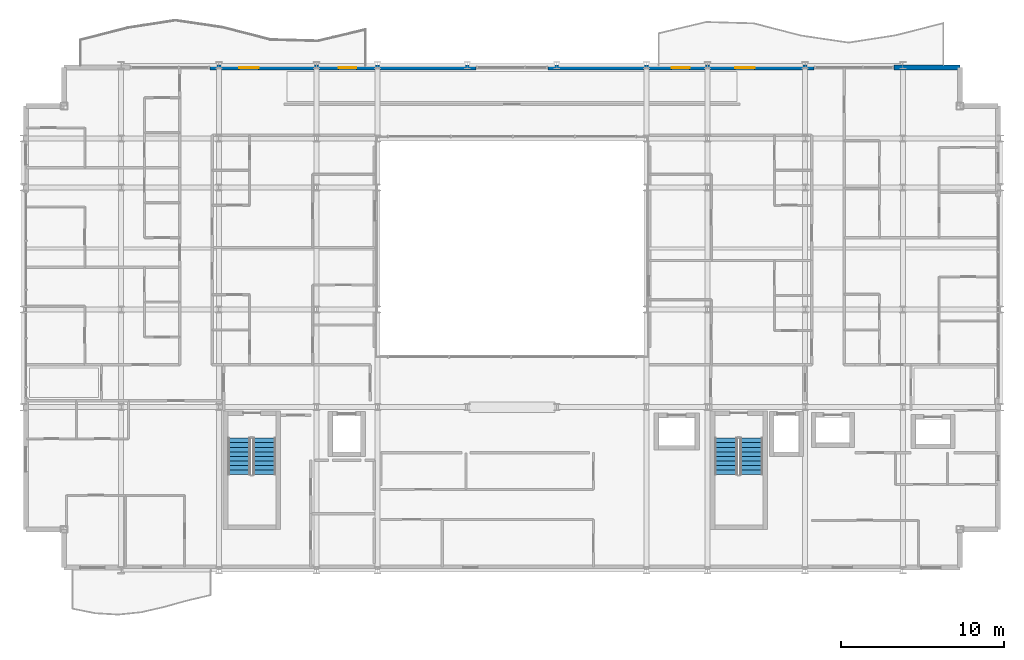
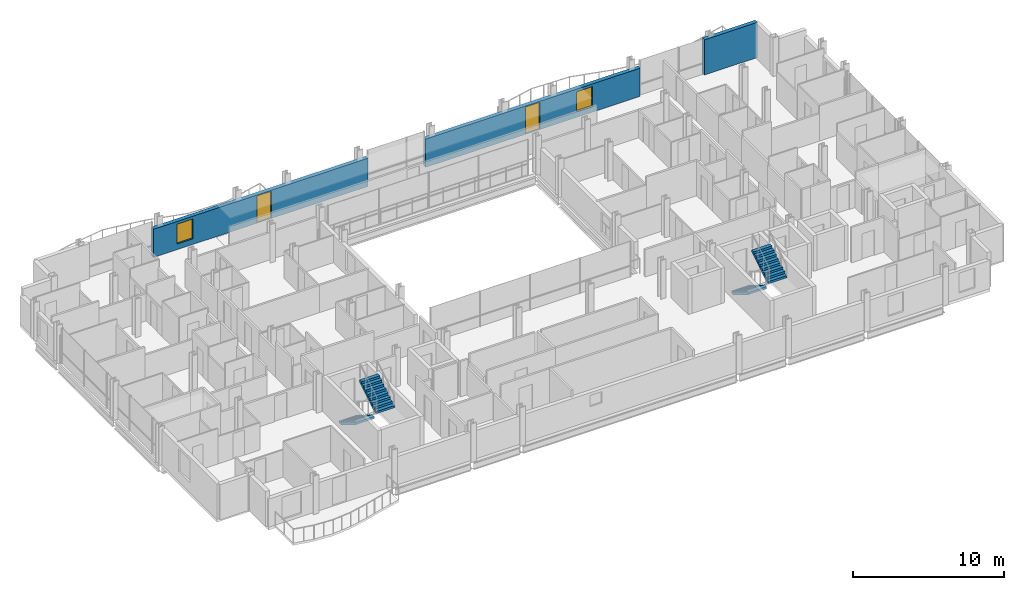
# One storey, part 37 of 41: 4 stair flights, 3 walls, 2 doors, 2 windows, 4 openings, 2 elements without a shape of their own.
"""IFC4 building model written with IfcOpenShell, lengths in metres."""

import ifcopenshell
import ifcopenshell.guid

model = None  # the IFC model being written
_history = None  # IfcOwnerHistory: only IFC2X3 demands one
_inside = {}  # id of a spatial element -> (the spatial element, [elements in it])
_under = {}  # id of a project, library or spatial element -> (it, [spatial elements below it])
_declared = {}  # id of a project -> (the project, [libraries it declares])
_typed = {}  # id of a type object -> (the type object, [elements of that type])
_made_of = {}  # id of a material, layer set ... -> (it, [elements and type objects made of it])


def new_model(schema):
    """Start an empty IFC model of exactly this schema.

    Asked for "IFC4X3", IfcOpenShell would pick the latest addendum, in which some entities
    have other attributes; the version numbers below select the first issue.
    IFC2X3 requires an IfcOwnerHistory on every rooted entity: one is made here for all.
    """
    global model, _history
    if schema == "IFC4X3":
        model = ifcopenshell.file(schema_version=(4, 3, 0, 0))
    else:
        model = ifcopenshell.file(schema=schema)
    _inside.clear()
    _under.clear()
    _declared.clear()
    _typed.clear()
    _made_of.clear()
    _history = None
    if model.schema == "IFC2X3":
        org = make("IfcOrganization", Name="unknown")
        user = make(
            "IfcPersonAndOrganization",
            ThePerson=make("IfcPerson", FamilyName="unknown"),
            TheOrganization=org,
        )
        app = make(
            "IfcApplication",
            ApplicationDeveloper=org,
            Version="unknown",
            ApplicationFullName="unknown",
            ApplicationIdentifier="unknown",
        )
        _history = make(
            "IfcOwnerHistory",
            OwningUser=user,
            OwningApplication=app,
            ChangeAction="ADDED",
            CreationDate=0,
        )
    return model


def make(cls, **values):
    """One entity of the class cls with the attributes given. An attribute that is None is left unset."""
    return model.create_entity(
        cls, **{name: value for name, value in values.items() if value is not None}
    )


def rooted(cls, **values):
    """An entity with a GlobalId (a new one), such as an element, a storey or a relation."""
    return make(cls, GlobalId=ifcopenshell.guid.new(), OwnerHistory=_history, **values)


def si_unit(unit_type, name, prefix=None):
    """IfcSIUnit, for example si_unit("LENGTHUNIT", "METRE", prefix="MILLI")."""
    return make("IfcSIUnit", UnitType=unit_type, Prefix=prefix, Name=name)


def assignment(units):
    """IfcUnitAssignment: the units of a project."""
    return None if units is None else make("IfcUnitAssignment", Units=units)


def point(xyz):
    """IfcCartesianPoint."""
    return None if xyz is None else make("IfcCartesianPoint", Coordinates=xyz)


def direction(xyz):
    """IfcDirection."""
    return None if xyz is None else make("IfcDirection", DirectionRatios=xyz)


def frame(location, z_axis=None, x_axis=None):
    """IfcAxis2Placement3D, a coordinate frame: its origin and axes. An axis left out is left unset."""
    return make(
        "IfcAxis2Placement3D",
        Location=point(location),
        Axis=direction(z_axis),
        RefDirection=direction(x_axis),
    )


def frame_2d(location, x_axis=None):
    """IfcAxis2Placement2D, a coordinate frame in the plane: its origin and x axis."""
    return make(
        "IfcAxis2Placement2D", Location=point(location), RefDirection=direction(x_axis)
    )


def origin():
    """The frame at (0, 0, 0) with its axes left unset."""
    return frame((0.0, 0.0, 0.0))


def place(relative_to, where):
    """IfcLocalPlacement: puts the frame where relative to a parent placement (None: the world)."""
    return make(
        "IfcLocalPlacement", PlacementRelTo=relative_to, RelativePlacement=where
    )


def context(
    kind, dimensions, precision=None, world=None, true_north=None, identifier=None
):
    """IfcGeometricRepresentationContext, for example the 3D "Model" context."""
    return make(
        "IfcGeometricRepresentationContext",
        ContextIdentifier=identifier,
        ContextType=kind,
        CoordinateSpaceDimension=dimensions,
        Precision=precision,
        WorldCoordinateSystem=world,
        TrueNorth=true_north,
    )


def subcontext(parent, identifier, kind, view, scale=None):
    """IfcGeometricRepresentationSubContext, for example "Body" below "Model"."""
    return make(
        "IfcGeometricRepresentationSubContext",
        ContextIdentifier=identifier,
        ContextType=kind,
        ParentContext=parent,
        TargetScale=scale,
        TargetView=view,
    )


def project(units=None, contexts=None):
    """IfcProject with its units and contexts."""
    return rooted(
        "IfcProject",
        Name="project",
        RepresentationContexts=contexts,
        UnitsInContext=assignment(units),
    )


def spatial(cls, under=None, at=None, **own):
    """A site, building, storey or space (cls), placed at a placement, below another one or the project."""
    s = rooted(cls, ObjectPlacement=at, **own)
    if under is not None:
        _under.setdefault(under.id(), (under, []))[1].append(s)
    return s


def polyline(points):
    """IfcPolyline through the points."""
    return make("IfcPolyline", Points=[point(p) for p in points])


def profile(cls, at=None, kind="AREA", **sizes):
    """A parametric profile (cls). Its sizes go by their IFC names, for example OverallWidth=200.0."""
    return make(cls, ProfileType=kind, Position=at, **sizes)


def rectangle(**sizes):
    """IfcRectangleProfileDef."""
    return profile("IfcRectangleProfileDef", **sizes)


def outline(outer, holes=None, kind="AREA"):
    """IfcArbitraryClosedProfileDef: a profile drawn as a closed curve; with holes, ...WithVoids."""
    if holes is None:
        return make("IfcArbitraryClosedProfileDef", ProfileType=kind, OuterCurve=outer)
    return make(
        "IfcArbitraryProfileDefWithVoids",
        ProfileType=kind,
        OuterCurve=outer,
        InnerCurves=holes,
    )


def extrude(swept, where, along, depth):
    """IfcExtrudedAreaSolid: the profile swept, set in the frame where, extruded along a direction by depth."""
    return make(
        "IfcExtrudedAreaSolid",
        SweptArea=swept,
        Position=where,
        ExtrudedDirection=direction(along),
        Depth=depth,
    )


def shape(context_of_items, identifier, shape_type, items):
    """IfcShapeRepresentation: the items that make up one representation, for example the "Body"."""
    return make(
        "IfcShapeRepresentation",
        ContextOfItems=context_of_items,
        RepresentationIdentifier=identifier,
        RepresentationType=shape_type,
        Items=items,
    )


def material(Name=None, Category=None):
    """IfcMaterial."""
    return make("IfcMaterial", Name=Name, Category=Category)


def layer(
    of_material, thickness, ventilated=None, Name=None, Category=None, Priority=None
):
    """IfcMaterialLayer: one layer of a wall or slab, of a material (None: an air gap)."""
    return make(
        "IfcMaterialLayer",
        Material=of_material,
        LayerThickness=thickness,
        IsVentilated=ventilated,
        Name=Name,
        Category=Category,
        Priority=Priority,
    )


def layer_set(layers, Name=None):
    """IfcMaterialLayerSet."""
    return make("IfcMaterialLayerSet", MaterialLayers=layers, LayerSetName=Name)


def made_of(thing, what):
    """Note that an element or type object is made of a material, layer set ...; save() writes the relation."""
    if what is not None:
        _made_of.setdefault(what.id(), (what, []))[1].append(thing)
    return thing


def type_object(cls, material=None, **own):
    """A type object (cls), such as IfcWallType, which elements share."""
    return made_of(rooted(cls, **own), material)


def element(
    cls,
    number,
    at=None,
    inside=None,
    cuts=None,
    type_object=None,
    material=None,
    context=None,
    identifier="Body",
    shape_type=None,
    held_by="IfcProductDefinitionShape",
    body=None,
    shapes=None,
    **own,
):
    """One element of the class cls, such as IfcWall. Its Tag is "e" and its number.

    at: its placement. inside: the storey or other place that contains it. cuts: it is an
    opening in that element (IfcRelVoidsElement). A single representation is given by context,
    identifier, shape_type and body (its items); several are given by shapes. held_by: the class
    of the entity that holds the representations. save() writes the other relations.
    """
    e = rooted(cls, Tag="e%d" % number, ObjectPlacement=at, **own)
    if body is not None:
        shapes = [shape(context, identifier, shape_type, body)]
    if shapes is not None:
        e.Representation = make(held_by, Representations=shapes)
    if inside is not None:
        _inside.setdefault(inside.id(), (inside, []))[1].append(e)
    if cuts is not None:
        rooted(
            "IfcRelVoidsElement", RelatingBuildingElement=cuts, RelatedOpeningElement=e
        )
    if type_object is not None:
        _typed.setdefault(type_object.id(), (type_object, []))[1].append(e)
    return made_of(e, material)


def fill(opening, filler):
    """IfcRelFillsElement: the door or window that sits in an opening."""
    return rooted(
        "IfcRelFillsElement",
        RelatingOpeningElement=opening,
        RelatedBuildingElement=filler,
    )


def aggregate(whole, parts):
    """IfcRelAggregates: a whole, such as a stair, and the parts it consists of."""
    return rooted("IfcRelAggregates", RelatingObject=whole, RelatedObjects=parts)


def save(model, path):
    """Write the relations noted so far, then the file.

    IfcRelAggregates (storeys below a building ...), IfcRelContainedInSpatialStructure (elements
    in a storey), IfcRelDefinesByType, IfcRelAssociatesMaterial and IfcRelDeclares: one each for
    every whole, place, type object, material and project.
    """
    for whole, parts in _under.values():
        aggregate(whole, parts)
    for where, things in _inside.values():
        rooted(
            "IfcRelContainedInSpatialStructure",
            RelatedElements=things,
            RelatingStructure=where,
        )
    for kind, things in _typed.values():
        rooted("IfcRelDefinesByType", RelatedObjects=things, RelatingType=kind)
    for what, things in _made_of.values():
        rooted("IfcRelAssociatesMaterial", RelatedObjects=things, RelatingMaterial=what)
    for by, libraries in _declared.values():
        rooted("IfcRelDeclares", RelatingContext=by, RelatedDefinitions=libraries)
    model.write(path)


model = new_model("IFC4")

# Units and contexts
model_context = context("Model", 3, precision=1e-05, world=origin(), true_north=direction((0.0, 1.0)))
body_context = subcontext(model_context, "Body", "Model", "MODEL_VIEW")
ifc_project = project(units=[si_unit("LENGTHUNIT", "METRE"), si_unit("AREAUNIT", "SQUARE_METRE"), si_unit("VOLUMEUNIT", "CUBIC_METRE"), si_unit("PLANEANGLEUNIT", "RADIAN"), si_unit("MASSUNIT", "GRAM", prefix="KILO")], contexts=[model_context])

# Site, building, storey
site_placement = place(None, origin())
site = spatial("IfcSite", under=ifc_project, at=site_placement, CompositionType="ELEMENT")
building_placement = place(site_placement, origin())
building = spatial("IfcBuilding", under=site, at=building_placement, Name="Brevholm Reach", CompositionType="ELEMENT")
storey_placement = place(building_placement, frame((0.0, 0.0, 93.10009765625)))
storey = spatial("IfcBuildingStorey", under=building, at=storey_placement, Name="L27", CompositionType="ELEMENT", Elevation=93.10009765625)

# Wall
ifc_material_1 = material(Name="Concrete C40/50", Category="concrete")
ifc_layer_1 = layer(ifc_material_1, 0.300048828125)
ifc_layer_set_1 = layer_set([ifc_layer_1], Name="Concrete C40/50")
wall_type = type_object("IfcWallType", Name="WAL-EXT-300", PredefinedType="STANDARD", material=ifc_layer_set_1)
wall_1_placement = place(storey_placement, frame((53.449951171875, 30.85009765625, 0.0), z_axis=(0.0, 0.0, 1.0), x_axis=(1.0, 0.0, 0.0)))
element("IfcWall", 1, at=wall_1_placement, inside=storey, type_object=wall_type, Name="L27 Facade Wall WAL-L27-NP-E0", PredefinedType="STANDARD", context=body_context, shape_type="SweptSolid", body=[
    extrude(rectangle(XDim=4.050048828125, YDim=0.300048828125, at=frame_2d((2.02490234375, 0.0))), origin(), (0.0, 0.0, 1.0), 2.83984375),
])

# Wall, openings, door, window
wall_2_placement = place(storey_placement, frame((11.449951171875, 30.85009765625, 0.0), z_axis=(0.0, 0.0, 1.0), x_axis=(1.0, 0.0, 0.0)))
wall_2 = element("IfcWall", 2, at=wall_2_placement, inside=storey, type_object=wall_type, Name="L27 Facade Wall WAL-L27-NP-WL", PredefinedType="STANDARD", context=body_context, shape_type="SweptSolid", body=[
    extrude(rectangle(XDim=16.35009765625, YDim=0.300048828125, at=frame_2d((8.175048828125, 0.0))), origin(), (0.0, 0.0, 1.0), 2.275390625),
])
opening_1_placement = place(wall_2_placement, frame((7.89794921875, 0.0, 0.0)))
opening_1 = element("IfcOpeningElement", 3, at=opening_1_placement, cuts=wall_2, Name="Opening BD-01", PredefinedType="OPENING", context=body_context, shape_type="SweptSolid", body=[
    extrude(rectangle(XDim=1.10009765625, YDim=2.199951171875, at=frame_2d((0.550048828125, 1.10009765625))), frame((0.0, 0.159912109375, 0.0), z_axis=(0.0, -1.0, 0.0), x_axis=(1.0, 0.0, 0.0)), (0.0, 0.0, 1.0), 0.320068359375),
])
opening_2_placement = place(wall_2_placement, frame((1.800048828125, 0.0, 0.4560546875)))
opening_2 = element("IfcOpeningElement", 4, at=opening_2_placement, cuts=wall_2, Name="Opening WN-08", PredefinedType="OPENING", context=body_context, shape_type="SweptSolid", body=[
    extrude(rectangle(XDim=1.199951171875, YDim=1.60009765625, at=frame_2d((0.60009765625, 0.800048828125))), frame((0.0, 0.159912109375, 0.0), z_axis=(0.0, -1.0, 0.0), x_axis=(1.0, 0.0, 0.0)), (0.0, 0.0, 1.0), 0.320068359375),
])
ifc_material_2 = material(Name="Dark Anodised Aluminium and Triple-Glazed Glass", Category="aluminium")
door_type = type_object("IfcDoorType", Name="DOR-BALC-1100", OperationType="NOTDEFINED", PredefinedType="DOOR", material=ifc_material_2)
door_1_placement = place(opening_1_placement, origin())
door_1 = element("IfcDoor", 5, at=door_1_placement, inside=storey, type_object=door_type, Name="L27 Exterior Door DOR-L27-BL-NW", OperationType="SINGLE_SWING_LEFT", OverallHeight=2.199951171875, OverallWidth=1.10009765625, PredefinedType="DOOR", context=body_context, shape_type="SweptSolid", body=[
    extrude(rectangle(XDim=1.10009765625, YDim=2.199951171875, at=frame_2d((0.550048828125, 1.10009765625))), frame((0.0, 0.02490234375, 0.0), z_axis=(0.0, -1.0, 0.0), x_axis=(1.0, 0.0, 0.0)), (0.0, 0.0, 1.0), 0.050048828125),
])
fill(opening_1, door_1)
ifc_material_3 = material(Name="Dark Anodised Aluminium and Solar-Control IGU Glass", Category="aluminium")
window_type = type_object("IfcWindowType", Name="WIN-RES-1200", PartitioningType="SINGLE_PANEL", PredefinedType="WINDOW", material=ifc_material_3)
window_1_placement = place(opening_2_placement, origin())
window_1 = element("IfcWindow", 6, at=window_1_placement, inside=storey, type_object=window_type, Name="L27 Window WIN-L27-NP-WL1", OverallHeight=1.60009765625, OverallWidth=1.199951171875, PartitioningType="SINGLE_PANEL", PredefinedType="WINDOW", context=body_context, shape_type="SweptSolid", body=[
    extrude(rectangle(XDim=1.199951171875, YDim=1.60009765625, at=frame_2d((0.60009765625, 0.800048828125))), frame((0.0, 0.030029296875, 0.0), z_axis=(0.0, -1.0, 0.0), x_axis=(1.0, 0.0, 0.0)), (0.0, 0.0, 1.0), 0.06005859375),
])
fill(opening_2, window_1)

wall_3_placement = place(storey_placement, frame((32.199951171875, 30.85009765625, 0.0), z_axis=(0.0, 0.0, 1.0), x_axis=(1.0, 0.0, 0.0)))
wall_3 = element("IfcWall", 7, at=wall_3_placement, inside=storey, type_object=wall_type, Name="L27 Facade Wall WAL-L27-NP-ER", PredefinedType="STANDARD", context=body_context, shape_type="SweptSolid", body=[
    extrude(rectangle(XDim=16.35009765625, YDim=0.300048828125, at=frame_2d((8.175048828125, 0.0))), origin(), (0.0, 0.0, 1.0), 2.275390625),
])
opening_3_placement = place(wall_3_placement, frame((7.60009765625, 0.0, 0.0)))
opening_3 = element("IfcOpeningElement", 8, at=opening_3_placement, cuts=wall_3, Name="Opening BD-01", PredefinedType="OPENING", context=body_context, shape_type="SweptSolid", body=[
    extrude(rectangle(XDim=1.10009765625, YDim=2.199951171875, at=frame_2d((0.550048828125, 1.10009765625))), frame((0.0, 0.159912109375, 0.0), z_axis=(0.0, -1.0, 0.0), x_axis=(1.0, 0.0, 0.0)), (0.0, 0.0, 1.0), 0.320068359375),
])
opening_4_placement = place(wall_3_placement, frame((11.5, 0.0, 0.4560546875)))
opening_4 = element("IfcOpeningElement", 9, at=opening_4_placement, cuts=wall_3, Name="Opening WN-08", PredefinedType="OPENING", context=body_context, shape_type="SweptSolid", body=[
    extrude(rectangle(XDim=1.199951171875, YDim=1.60009765625, at=frame_2d((0.60009765625, 0.800048828125))), frame((0.0, 0.159912109375, 0.0), z_axis=(0.0, -1.0, 0.0), x_axis=(1.0, 0.0, 0.0)), (0.0, 0.0, 1.0), 0.320068359375),
])
door_2_placement = place(opening_3_placement, origin())
door_2 = element("IfcDoor", 10, at=door_2_placement, inside=storey, type_object=door_type, Name="L27 Exterior Door DOR-L27-BL-NE", OperationType="SINGLE_SWING_RIGHT", OverallHeight=2.199951171875, OverallWidth=1.10009765625, PredefinedType="DOOR", context=body_context, shape_type="SweptSolid", body=[
    extrude(rectangle(XDim=1.10009765625, YDim=2.199951171875, at=frame_2d((0.550048828125, 1.10009765625))), frame((0.0, 0.02490234375, 0.0), z_axis=(0.0, -1.0, 0.0), x_axis=(1.0, 0.0, 0.0)), (0.0, 0.0, 1.0), 0.050048828125),
])
fill(opening_3, door_2)
window_2_placement = place(opening_4_placement, origin())
window_2 = element("IfcWindow", 11, at=window_2_placement, inside=storey, type_object=window_type, Name="L27 Window WIN-L27-NP-ER1", OverallHeight=1.60009765625, OverallWidth=1.199951171875, PartitioningType="SINGLE_PANEL", PredefinedType="WINDOW", context=body_context, shape_type="SweptSolid", body=[
    extrude(rectangle(XDim=1.199951171875, YDim=1.60009765625, at=frame_2d((0.60009765625, 0.800048828125))), frame((0.0, 0.030029296875, 0.0), z_axis=(0.0, -1.0, 0.0), x_axis=(1.0, 0.0, 0.0)), (0.0, 0.0, 1.0), 0.06005859375),
])
fill(opening_4, window_2)

# Stair, stair flights
ifc_material_4 = material(Name="Precast Concrete C40/50", Category="concrete")
stair_type = type_object("IfcStairType", Name="STR-ESC-1400", PredefinedType="DOUBLE_RETURN_STAIR", material=ifc_material_4)
stair_1_placement = place(storey_placement, origin())
stair_1 = element("IfcStair", 12, at=stair_1_placement, inside=storey, type_object=stair_type, Name="L27 ST-1", PredefinedType="DOUBLE_RETURN_STAIR")
ifc_material_5 = material(Name="Precast Concrete C40/50", Category="concrete")
ifc_layer_2 = layer(ifc_material_5, 0.18505859375)
ifc_layer_set_2 = layer_set([ifc_layer_2], Name="Precast Concrete C40/50")
stair_flight_type = type_object("IfcStairFlightType", Name="STF-PRC-185", PredefinedType="STRAIGHT", material=ifc_layer_set_2)
stair_flight_1_placement = place(storey_placement, frame((13.25, 8.10009765625, 0.0), z_axis=(0.0, 0.0, 1.0), x_axis=(0.0, -1.0, 0.0)))
stair_flight_1 = element("IfcStairFlight", 13, at=stair_flight_1_placement, type_object=stair_flight_type, Name="ST-1 flight 1", NumberOfRisers=9, NumberOfTreads=8, PredefinedType="STRAIGHT", RiserHeight=0.172222222, TreadLength=0.28, context=body_context, shape_type="SweptSolid", body=[
    extrude(outline(polyline([(0.0, 0.0), (0.0, 0.172119140625), (0.280029296875, 0.172119140625), (0.280029296875, 0.344482421875), (0.56005859375, 0.344482421875), (0.56005859375, 0.5166015625), (0.840087890625, 0.5166015625), (0.840087890625, 0.68896484375), (1.1201171875, 0.68896484375), (1.1201171875, 0.861083984375), (1.39990234375, 0.861083984375), (1.39990234375, 1.033447265625), (1.679931640625, 1.033447265625), (1.679931640625, 1.20556640625), (1.9599609375, 1.20556640625), (1.9599609375, 1.377685546875), (2.239990234375, 1.377685546875), (2.239990234375, 1.550048828125), (2.239990234375, 1.201904296875), (0.2861328125, 0.0), (0.0, 0.0)])), frame((0.0, 0.699951171875, 0.0), z_axis=(0.0, -1.0, 0.0), x_axis=(1.0, 0.0, 0.0)), (0.0, 0.0, 1.0), 1.39990234375),
])
stair_flight_2_placement = place(storey_placement, frame((14.800048828125, 5.860107421875, 1.5498046875), z_axis=(0.0, 0.0, 1.0), x_axis=(0.0, 1.0, 0.0)))
stair_flight_2 = element("IfcStairFlight", 14, at=stair_flight_2_placement, type_object=stair_flight_type, Name="ST-1 flight 2", NumberOfRisers=9, NumberOfTreads=8, PredefinedType="STRAIGHT", RiserHeight=0.172222222, TreadLength=0.28, context=body_context, shape_type="SweptSolid", body=[
    extrude(outline(polyline([(0.0, 0.0), (0.0, 0.172119140625), (0.280029296875, 0.172119140625), (0.280029296875, 0.344482421875), (0.56005859375, 0.344482421875), (0.56005859375, 0.5166015625), (0.840087890625, 0.5166015625), (0.840087890625, 0.68896484375), (1.1201171875, 0.68896484375), (1.1201171875, 0.861083984375), (1.39990234375, 0.861083984375), (1.39990234375, 1.033447265625), (1.679931640625, 1.033447265625), (1.679931640625, 1.20556640625), (1.9599609375, 1.20556640625), (1.9599609375, 1.377685546875), (2.239990234375, 1.377685546875), (2.239990234375, 1.550048828125), (2.239990234375, 1.201904296875), (0.2861328125, 0.0), (0.0, 0.0)])), frame((0.0, 0.699951171875, 0.0), z_axis=(0.0, -1.0, 0.0), x_axis=(1.0, 0.0, 0.0)), (0.0, 0.0, 1.0), 1.39990234375),
])
aggregate(stair_1, [stair_flight_1, stair_flight_2])

stair_2_placement = place(storey_placement, origin())
stair_2 = element("IfcStair", 15, at=stair_2_placement, inside=storey, type_object=stair_type, Name="L27 ST-2", PredefinedType="DOUBLE_RETURN_STAIR")
stair_flight_3_placement = place(storey_placement, frame((43.14990234375, 8.10009765625, 0.0), z_axis=(0.0, 0.0, 1.0), x_axis=(0.0, -1.0, 0.0)))
stair_flight_3 = element("IfcStairFlight", 16, at=stair_flight_3_placement, type_object=stair_flight_type, Name="ST-2 flight 1", NumberOfRisers=9, NumberOfTreads=8, PredefinedType="STRAIGHT", RiserHeight=0.172222222, TreadLength=0.28, context=body_context, shape_type="SweptSolid", body=[
    extrude(outline(polyline([(0.0, 0.0), (0.0, 0.172119140625), (0.280029296875, 0.172119140625), (0.280029296875, 0.344482421875), (0.56005859375, 0.344482421875), (0.56005859375, 0.5166015625), (0.840087890625, 0.5166015625), (0.840087890625, 0.68896484375), (1.1201171875, 0.68896484375), (1.1201171875, 0.861083984375), (1.39990234375, 0.861083984375), (1.39990234375, 1.033447265625), (1.679931640625, 1.033447265625), (1.679931640625, 1.20556640625), (1.9599609375, 1.20556640625), (1.9599609375, 1.377685546875), (2.239990234375, 1.377685546875), (2.239990234375, 1.550048828125), (2.239990234375, 1.201904296875), (0.2861328125, 0.0), (0.0, 0.0)])), frame((0.0, 0.699951171875, 0.0), z_axis=(0.0, -1.0, 0.0), x_axis=(1.0, 0.0, 0.0)), (0.0, 0.0, 1.0), 1.39990234375),
])
stair_flight_4_placement = place(storey_placement, frame((44.699951171875, 5.860107421875, 1.5498046875), z_axis=(0.0, 0.0, 1.0), x_axis=(0.0, 1.0, 0.0)))
stair_flight_4 = element("IfcStairFlight", 17, at=stair_flight_4_placement, type_object=stair_flight_type, Name="ST-2 flight 2", NumberOfRisers=9, NumberOfTreads=8, PredefinedType="STRAIGHT", RiserHeight=0.172222222, TreadLength=0.28, context=body_context, shape_type="SweptSolid", body=[
    extrude(outline(polyline([(0.0, 0.0), (0.0, 0.172119140625), (0.280029296875, 0.172119140625), (0.280029296875, 0.344482421875), (0.56005859375, 0.344482421875), (0.56005859375, 0.5166015625), (0.840087890625, 0.5166015625), (0.840087890625, 0.68896484375), (1.1201171875, 0.68896484375), (1.1201171875, 0.861083984375), (1.39990234375, 0.861083984375), (1.39990234375, 1.033447265625), (1.679931640625, 1.033447265625), (1.679931640625, 1.20556640625), (1.9599609375, 1.20556640625), (1.9599609375, 1.377685546875), (2.239990234375, 1.377685546875), (2.239990234375, 1.550048828125), (2.239990234375, 1.201904296875), (0.2861328125, 0.0), (0.0, 0.0)])), frame((0.0, 0.699951171875, 0.0), z_axis=(0.0, -1.0, 0.0), x_axis=(1.0, 0.0, 0.0)), (0.0, 0.0, 1.0), 1.39990234375),
])
aggregate(stair_2, [stair_flight_3, stair_flight_4])

save(model, "model.ifc")
